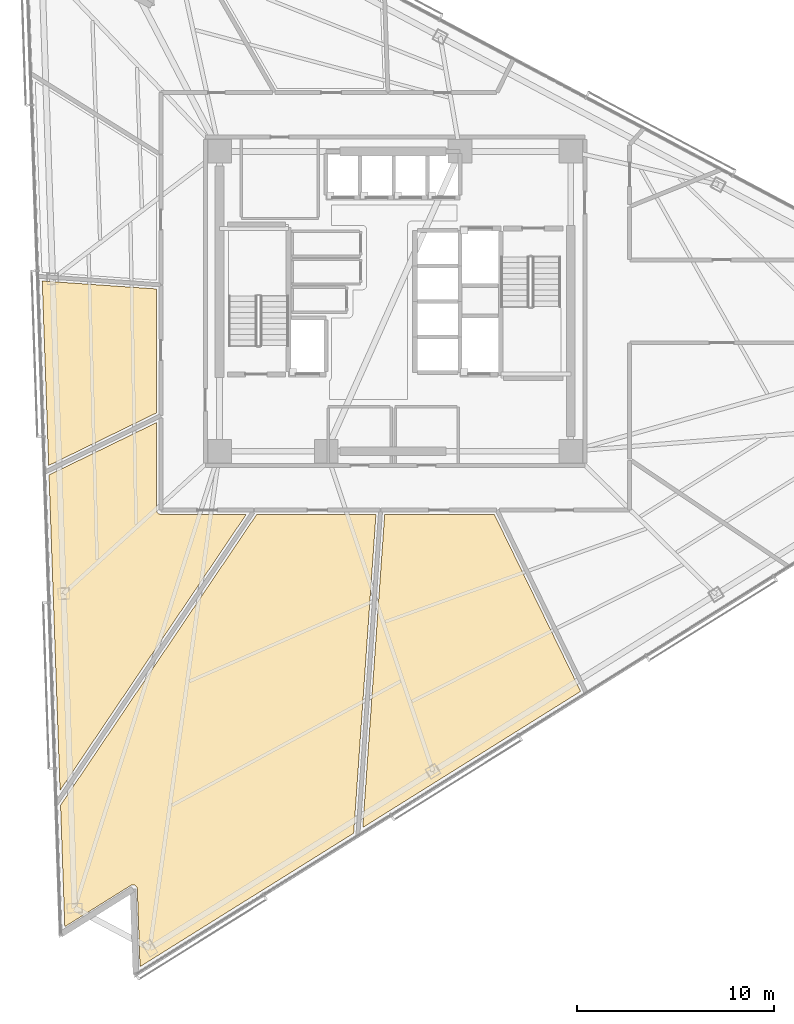
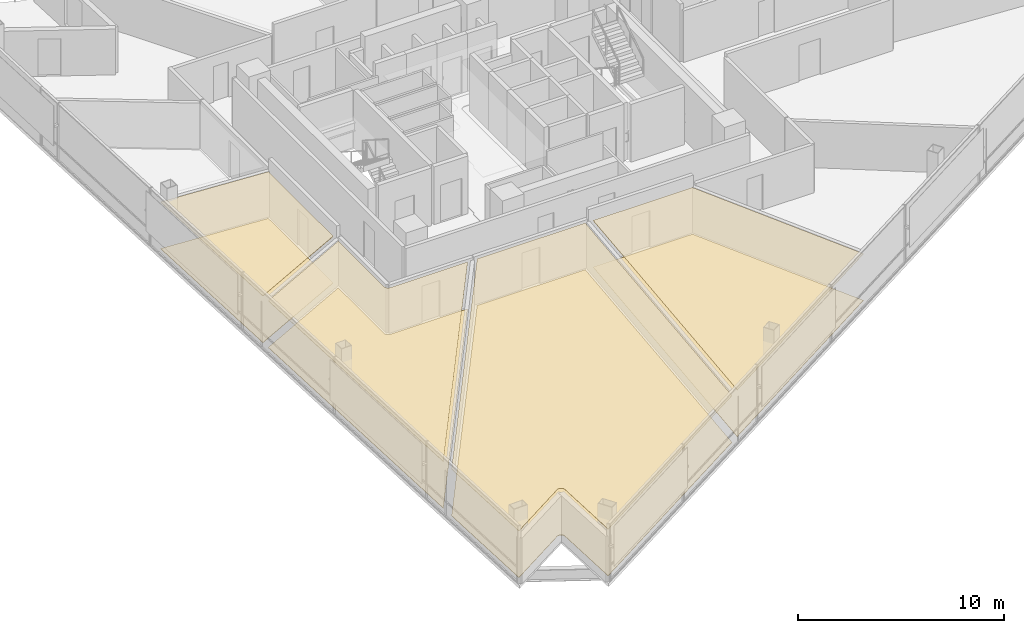
# One storey, part 17 of 20: 8 coverings.
"""IFC4 building model written with IfcOpenShell, lengths in metres."""

from ifc_helpers import new_model, si_unit, direction, frame, origin, place, context, subcontext, project, spatial, polyline, outline, extrude, material, layer, layer_set, type_object, element, save


model = new_model("IFC4")

# Units and contexts
model_context = context("Model", 3, precision=1e-05, world=origin(), true_north=direction((0.0, 1.0)))
body_context = subcontext(model_context, "Body", "Model", "MODEL_VIEW")
ifc_project = project(units=[si_unit("LENGTHUNIT", "METRE"), si_unit("AREAUNIT", "SQUARE_METRE"), si_unit("VOLUMEUNIT", "CUBIC_METRE"), si_unit("PLANEANGLEUNIT", "RADIAN"), si_unit("MASSUNIT", "GRAM", prefix="KILO")], contexts=[model_context])

# Site, building, storey
site_placement = place(None, origin())
site = spatial("IfcSite", under=ifc_project, at=site_placement, CompositionType="ELEMENT")
building_placement = place(site_placement, origin())
building = spatial("IfcBuilding", under=site, at=building_placement, Name="Tharavind Bronze Gate", CompositionType="ELEMENT")
storey_placement = place(building_placement, frame((0.0, 0.0, 149.60009765625)))
storey = spatial("IfcBuildingStorey", under=building, at=storey_placement, Name="L38", CompositionType="ELEMENT", Elevation=149.60009765625)

# Coverings
ifc_material_1 = material(Name="Engineered Oak & Carpet Tile", Category="wood")
ifc_layer_1 = layer(ifc_material_1, 0.02490234375)
ifc_layer_set_1 = layer_set([ifc_layer_1], Name="Engineered Oak & Carpet Tile")
covering_type_1 = type_object("IfcCoveringType", Name="ENGINEERED TIMBER FLOORING", PredefinedType="FLOORING", material=ifc_layer_set_1)
covering_1_placement = place(storey_placement, origin())
element("IfcCovering", 1, at=covering_1_placement, inside=storey, type_object=covering_type_1, Name="L38-RM-06 floor finish", PredefinedType="FLOORING", context=body_context, shape_type="SweptSolid", body=[
    extrude(outline(polyline([(-17.567626953125, -8.323486328125), (-12.10009765625, -5.65673828125), (-12.10009765625, 0.62548828125), (-17.894287109375, 1.03076171875), (-17.567626953125, -8.323486328125)])), origin(), (0.0, 0.0, 1.0), 0.02490234375),
])
covering_2_placement = place(storey_placement, origin())
element("IfcCovering", 2, at=covering_2_placement, inside=storey, type_object=covering_type_1, Name="L38-RM-07 floor finish", PredefinedType="FLOORING", context=body_context, shape_type="SweptSolid", body=[
    extrude(outline(polyline([(-16.992431640625, -24.798828125), (-7.550048828125, -10.800048828125), (-11.87939453125, -10.800048828125), (-11.89013671875, -10.7998046875), (-11.890869140625, -10.7998046875), (-11.912353515625, -10.797607421875), (-11.933349609375, -10.79345703125), (-11.9541015625, -10.787109375), (-11.97412109375, -10.77880859375), (-11.9931640625, -10.768798828125), (-12.010986328125, -10.756591796875), (-12.027587890625, -10.742919921875), (-12.04296875, -10.727783203125), (-12.056640625, -10.7109375), (-12.068603515625, -10.693115234375), (-12.078857421875, -10.674072265625), (-12.087158203125, -10.654052734375), (-12.093505859375, -10.63330078125), (-12.09765625, -10.6123046875), (-12.099609375, -10.5908203125), (-12.099609375, -10.590087890625), (-12.10009765625, -10.579345703125), (-12.10009765625, -6.146240234375), (-17.55078125, -8.804931640625), (-16.992431640625, -24.798828125)])), origin(), (0.0, 0.0, 1.0), 0.02490234375),
])
covering_3_placement = place(storey_placement, origin())
element("IfcCovering", 3, at=covering_3_placement, inside=storey, type_object=covering_type_1, Name="L38-RM-08 floor finish", PredefinedType="FLOORING", context=body_context, shape_type="SweptSolid", body=[
    extrude(outline(polyline([(-13.411376953125, -29.61669921875), (-13.402099609375, -29.611083984375), (-13.401611328125, -29.61083984375), (-13.3818359375, -29.60107421875), (-13.361328125, -29.593505859375), (-13.340087890625, -29.587890625), (-13.318359375, -29.584228515625), (-13.29638671875, -29.5830078125), (-13.274658203125, -29.583740234375), (-13.2529296875, -29.5869140625), (-13.231689453125, -29.592041015625), (-13.2109375, -29.599365234375), (-13.19091796875, -29.608642578125), (-13.172119140625, -29.6201171875), (-13.154541015625, -29.633056640625), (-13.138427734375, -29.647705078125), (-13.123779296875, -29.6640625), (-13.110595703125, -29.681884765625), (-13.099609375, -29.70068359375), (-13.09033203125, -29.720458984375), (-13.083251953125, -29.7412109375), (-13.078125, -29.7626953125), (-13.0751953125, -29.7841796875), (-13.0751953125, -29.784912109375), (-13.074462890625, -29.7958984375), (-12.93701171875, -33.731689453125), (-2.10595703125, -26.9638671875), (-0.9755859375, -10.800048828125), (-7.019287109375, -10.800048828125), (-16.96630859375, -25.546875), (-16.751220703125, -31.70361328125), (-13.411376953125, -29.61669921875)])), origin(), (0.0, 0.0, 1.0), 0.02490234375),
])
covering_4_placement = place(storey_placement, origin())
element("IfcCovering", 4, at=covering_4_placement, inside=storey, type_object=covering_type_1, Name="L38-RM-09 floor finish", PredefinedType="FLOORING", context=body_context, shape_type="SweptSolid", body=[
    extrude(outline(polyline([(9.39990234375, -19.7744140625), (5.022705078125, -10.800048828125), (-0.53466796875, -10.800048828125), (-1.644775390625, -26.67578125), (9.39990234375, -19.7744140625)])), origin(), (0.0, 0.0, 1.0), 0.02490234375),
])
ifc_material_2 = material(Name="Acoustic Gypsum Board", Category="gypsum")
ifc_layer_2 = layer(ifc_material_2, 0.030029296875)
ifc_layer_set_2 = layer_set([ifc_layer_2], Name="Acoustic Gypsum Board")
covering_type_2 = type_object("IfcCoveringType", Name="GYPSUM SUSPENDED CEILING", PredefinedType="CEILING", material=ifc_layer_set_2)
covering_5_placement = place(storey_placement, frame((0.0, 0.0, 2.75)))
element("IfcCovering", 5, at=covering_5_placement, inside=storey, type_object=covering_type_2, Name="L38-RM-06 suspended ceiling", PredefinedType="CEILING", context=body_context, shape_type="SweptSolid", body=[
    extrude(outline(polyline([(-17.567626953125, -8.323486328125), (-12.10009765625, -5.65673828125), (-12.10009765625, 0.62548828125), (-17.894287109375, 1.03076171875), (-17.567626953125, -8.323486328125)])), origin(), (0.0, 0.0, 1.0), 0.034912109375),
])
covering_6_placement = place(storey_placement, frame((0.0, 0.0, 2.75)))
element("IfcCovering", 6, at=covering_6_placement, inside=storey, type_object=covering_type_2, Name="L38-RM-07 suspended ceiling", PredefinedType="CEILING", context=body_context, shape_type="SweptSolid", body=[
    extrude(outline(polyline([(-16.992431640625, -24.798828125), (-7.550048828125, -10.800048828125), (-11.87939453125, -10.800048828125), (-11.89013671875, -10.7998046875), (-11.890869140625, -10.7998046875), (-11.912353515625, -10.797607421875), (-11.933349609375, -10.79345703125), (-11.9541015625, -10.787109375), (-11.97412109375, -10.77880859375), (-11.9931640625, -10.768798828125), (-12.010986328125, -10.756591796875), (-12.027587890625, -10.742919921875), (-12.04296875, -10.727783203125), (-12.056640625, -10.7109375), (-12.068603515625, -10.693115234375), (-12.078857421875, -10.674072265625), (-12.087158203125, -10.654052734375), (-12.093505859375, -10.63330078125), (-12.09765625, -10.6123046875), (-12.099609375, -10.5908203125), (-12.099609375, -10.590087890625), (-12.10009765625, -10.579345703125), (-12.10009765625, -6.146240234375), (-17.55078125, -8.804931640625), (-16.992431640625, -24.798828125)])), origin(), (0.0, 0.0, 1.0), 0.034912109375),
])
covering_7_placement = place(storey_placement, frame((0.0, 0.0, 2.75)))
element("IfcCovering", 7, at=covering_7_placement, inside=storey, type_object=covering_type_2, Name="L38-RM-08 suspended ceiling", PredefinedType="CEILING", context=body_context, shape_type="SweptSolid", body=[
    extrude(outline(polyline([(-13.411376953125, -29.61669921875), (-13.402099609375, -29.611083984375), (-13.401611328125, -29.61083984375), (-13.3818359375, -29.60107421875), (-13.361328125, -29.593505859375), (-13.340087890625, -29.587890625), (-13.318359375, -29.584228515625), (-13.29638671875, -29.5830078125), (-13.274658203125, -29.583740234375), (-13.2529296875, -29.5869140625), (-13.231689453125, -29.592041015625), (-13.2109375, -29.599365234375), (-13.19091796875, -29.608642578125), (-13.172119140625, -29.6201171875), (-13.154541015625, -29.633056640625), (-13.138427734375, -29.647705078125), (-13.123779296875, -29.6640625), (-13.110595703125, -29.681884765625), (-13.099609375, -29.70068359375), (-13.09033203125, -29.720458984375), (-13.083251953125, -29.7412109375), (-13.078125, -29.7626953125), (-13.0751953125, -29.7841796875), (-13.0751953125, -29.784912109375), (-13.074462890625, -29.7958984375), (-12.93701171875, -33.731689453125), (-2.10595703125, -26.9638671875), (-0.9755859375, -10.800048828125), (-7.019287109375, -10.800048828125), (-16.96630859375, -25.546875), (-16.751220703125, -31.70361328125), (-13.411376953125, -29.61669921875)])), origin(), (0.0, 0.0, 1.0), 0.034912109375),
])
covering_8_placement = place(storey_placement, frame((0.0, 0.0, 2.75)))
element("IfcCovering", 8, at=covering_8_placement, inside=storey, type_object=covering_type_2, Name="L38-RM-09 suspended ceiling", PredefinedType="CEILING", context=body_context, shape_type="SweptSolid", body=[
    extrude(outline(polyline([(9.39990234375, -19.7744140625), (5.022705078125, -10.800048828125), (-0.53466796875, -10.800048828125), (-1.644775390625, -26.67578125), (9.39990234375, -19.7744140625)])), origin(), (0.0, 0.0, 1.0), 0.034912109375),
])

save(model, "model.ifc")
